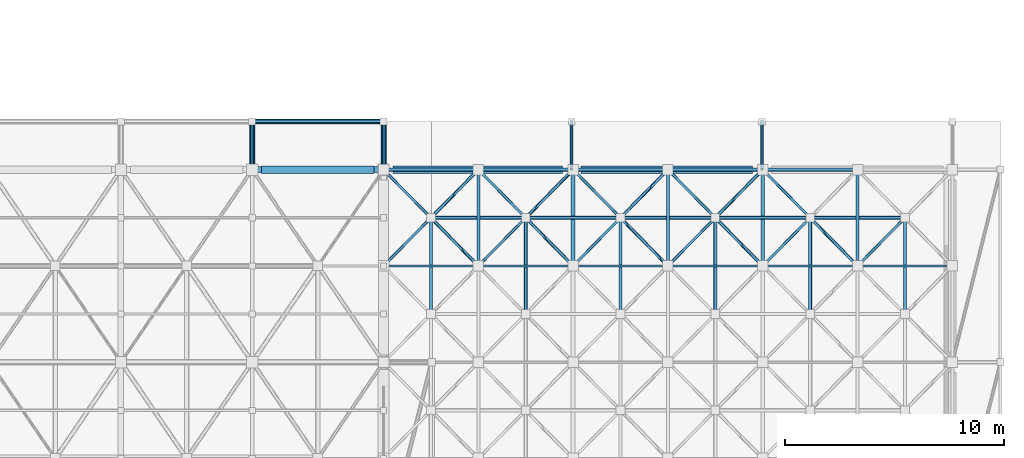
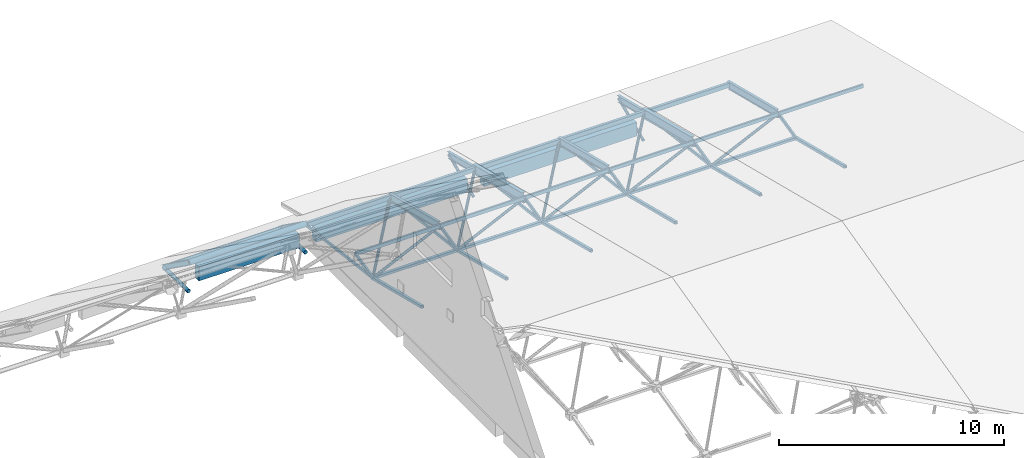
# One storey, part 32 of 55: 57 members, 3 beams.
"""IFC4 building model written with IfcOpenShell, lengths in metres."""

import ifcopenshell
import ifcopenshell.guid

model = None  # the IFC model being written
_history = None  # IfcOwnerHistory: only IFC2X3 demands one
_inside = {}  # id of a spatial element -> (the spatial element, [elements in it])
_under = {}  # id of a project, library or spatial element -> (it, [spatial elements below it])
_declared = {}  # id of a project -> (the project, [libraries it declares])
_typed = {}  # id of a type object -> (the type object, [elements of that type])
_made_of = {}  # id of a material, layer set ... -> (it, [elements and type objects made of it])


def new_model(schema):
    """Start an empty IFC model of exactly this schema.

    Asked for "IFC4X3", IfcOpenShell would pick the latest addendum, in which some entities
    have other attributes; the version numbers below select the first issue.
    IFC2X3 requires an IfcOwnerHistory on every rooted entity: one is made here for all.
    """
    global model, _history
    if schema == "IFC4X3":
        model = ifcopenshell.file(schema_version=(4, 3, 0, 0))
    else:
        model = ifcopenshell.file(schema=schema)
    _inside.clear()
    _under.clear()
    _declared.clear()
    _typed.clear()
    _made_of.clear()
    _history = None
    if model.schema == "IFC2X3":
        org = make("IfcOrganization", Name="unknown")
        user = make(
            "IfcPersonAndOrganization",
            ThePerson=make("IfcPerson", FamilyName="unknown"),
            TheOrganization=org,
        )
        app = make(
            "IfcApplication",
            ApplicationDeveloper=org,
            Version="unknown",
            ApplicationFullName="unknown",
            ApplicationIdentifier="unknown",
        )
        _history = make(
            "IfcOwnerHistory",
            OwningUser=user,
            OwningApplication=app,
            ChangeAction="ADDED",
            CreationDate=0,
        )
    return model


def make(cls, **values):
    """One entity of the class cls with the attributes given. An attribute that is None is left unset."""
    return model.create_entity(
        cls, **{name: value for name, value in values.items() if value is not None}
    )


def rooted(cls, **values):
    """An entity with a GlobalId (a new one), such as an element, a storey or a relation."""
    return make(cls, GlobalId=ifcopenshell.guid.new(), OwnerHistory=_history, **values)


def si_unit(unit_type, name, prefix=None):
    """IfcSIUnit, for example si_unit("LENGTHUNIT", "METRE", prefix="MILLI")."""
    return make("IfcSIUnit", UnitType=unit_type, Prefix=prefix, Name=name)


def assignment(units):
    """IfcUnitAssignment: the units of a project."""
    return None if units is None else make("IfcUnitAssignment", Units=units)


def point(xyz):
    """IfcCartesianPoint."""
    return None if xyz is None else make("IfcCartesianPoint", Coordinates=xyz)


def direction(xyz):
    """IfcDirection."""
    return None if xyz is None else make("IfcDirection", DirectionRatios=xyz)


def frame(location, z_axis=None, x_axis=None):
    """IfcAxis2Placement3D, a coordinate frame: its origin and axes. An axis left out is left unset."""
    return make(
        "IfcAxis2Placement3D",
        Location=point(location),
        Axis=direction(z_axis),
        RefDirection=direction(x_axis),
    )


def frame_2d(location, x_axis=None):
    """IfcAxis2Placement2D, a coordinate frame in the plane: its origin and x axis."""
    return make(
        "IfcAxis2Placement2D", Location=point(location), RefDirection=direction(x_axis)
    )


def origin():
    """The frame at (0, 0, 0) with its axes left unset."""
    return frame((0.0, 0.0, 0.0))


def origin_2d():
    """The frame at (0, 0) in the plane with its x axis left unset."""
    return frame_2d((0.0, 0.0))


def place(relative_to, where):
    """IfcLocalPlacement: puts the frame where relative to a parent placement (None: the world)."""
    return make(
        "IfcLocalPlacement", PlacementRelTo=relative_to, RelativePlacement=where
    )


def context(
    kind, dimensions, precision=None, world=None, true_north=None, identifier=None
):
    """IfcGeometricRepresentationContext, for example the 3D "Model" context."""
    return make(
        "IfcGeometricRepresentationContext",
        ContextIdentifier=identifier,
        ContextType=kind,
        CoordinateSpaceDimension=dimensions,
        Precision=precision,
        WorldCoordinateSystem=world,
        TrueNorth=true_north,
    )


def subcontext(parent, identifier, kind, view, scale=None):
    """IfcGeometricRepresentationSubContext, for example "Body" below "Model"."""
    return make(
        "IfcGeometricRepresentationSubContext",
        ContextIdentifier=identifier,
        ContextType=kind,
        ParentContext=parent,
        TargetScale=scale,
        TargetView=view,
    )


def project(units=None, contexts=None):
    """IfcProject with its units and contexts."""
    return rooted(
        "IfcProject",
        Name="project",
        RepresentationContexts=contexts,
        UnitsInContext=assignment(units),
    )


def spatial(cls, under=None, at=None, **own):
    """A site, building, storey or space (cls), placed at a placement, below another one or the project."""
    s = rooted(cls, ObjectPlacement=at, **own)
    if under is not None:
        _under.setdefault(under.id(), (under, []))[1].append(s)
    return s


def profile(cls, at=None, kind="AREA", **sizes):
    """A parametric profile (cls). Its sizes go by their IFC names, for example OverallWidth=200.0."""
    return make(cls, ProfileType=kind, Position=at, **sizes)


def rectangle(**sizes):
    """IfcRectangleProfileDef."""
    return profile("IfcRectangleProfileDef", **sizes)


def hollow_rectangle(**sizes):
    """IfcRectangleHollowProfileDef."""
    return profile("IfcRectangleHollowProfileDef", **sizes)


def hollow_circle(**sizes):
    """IfcCircleHollowProfileDef."""
    return profile("IfcCircleHollowProfileDef", **sizes)


def i_section(**sizes):
    """IfcIShapeProfileDef."""
    return profile("IfcIShapeProfileDef", **sizes)


def extrude(swept, where, along, depth):
    """IfcExtrudedAreaSolid: the profile swept, set in the frame where, extruded along a direction by depth."""
    return make(
        "IfcExtrudedAreaSolid",
        SweptArea=swept,
        Position=where,
        ExtrudedDirection=direction(along),
        Depth=depth,
    )


def shape(context_of_items, identifier, shape_type, items):
    """IfcShapeRepresentation: the items that make up one representation, for example the "Body"."""
    return make(
        "IfcShapeRepresentation",
        ContextOfItems=context_of_items,
        RepresentationIdentifier=identifier,
        RepresentationType=shape_type,
        Items=items,
    )


def material(Name=None, Category=None):
    """IfcMaterial."""
    return make("IfcMaterial", Name=Name, Category=Category)


def material_profile(
    of_material, cross_section, Name=None, Category=None, Priority=None
):
    """IfcMaterialProfile: a cross section and its material."""
    return make(
        "IfcMaterialProfile",
        Name=Name,
        Material=of_material,
        Profile=cross_section,
        Priority=Priority,
        Category=Category,
    )


def profile_set(profiles, Name=None, composite=None):
    """IfcMaterialProfileSet."""
    return make(
        "IfcMaterialProfileSet",
        Name=Name,
        MaterialProfiles=profiles,
        CompositeProfile=composite,
    )


def made_of(thing, what):
    """Note that an element or type object is made of a material, layer set ...; save() writes the relation."""
    if what is not None:
        _made_of.setdefault(what.id(), (what, []))[1].append(thing)
    return thing


def type_object(cls, material=None, **own):
    """A type object (cls), such as IfcWallType, which elements share."""
    return made_of(rooted(cls, **own), material)


def element(
    cls,
    number,
    at=None,
    inside=None,
    cuts=None,
    type_object=None,
    material=None,
    context=None,
    identifier="Body",
    shape_type=None,
    held_by="IfcProductDefinitionShape",
    body=None,
    shapes=None,
    **own,
):
    """One element of the class cls, such as IfcWall. Its Tag is "e" and its number.

    at: its placement. inside: the storey or other place that contains it. cuts: it is an
    opening in that element (IfcRelVoidsElement). A single representation is given by context,
    identifier, shape_type and body (its items); several are given by shapes. held_by: the class
    of the entity that holds the representations. save() writes the other relations.
    """
    e = rooted(cls, Tag="e%d" % number, ObjectPlacement=at, **own)
    if body is not None:
        shapes = [shape(context, identifier, shape_type, body)]
    if shapes is not None:
        e.Representation = make(held_by, Representations=shapes)
    if inside is not None:
        _inside.setdefault(inside.id(), (inside, []))[1].append(e)
    if cuts is not None:
        rooted(
            "IfcRelVoidsElement", RelatingBuildingElement=cuts, RelatedOpeningElement=e
        )
    if type_object is not None:
        _typed.setdefault(type_object.id(), (type_object, []))[1].append(e)
    return made_of(e, material)


def aggregate(whole, parts):
    """IfcRelAggregates: a whole, such as a stair, and the parts it consists of."""
    return rooted("IfcRelAggregates", RelatingObject=whole, RelatedObjects=parts)


def save(model, path):
    """Write the relations noted so far, then the file.

    IfcRelAggregates (storeys below a building ...), IfcRelContainedInSpatialStructure (elements
    in a storey), IfcRelDefinesByType, IfcRelAssociatesMaterial and IfcRelDeclares: one each for
    every whole, place, type object, material and project.
    """
    for whole, parts in _under.values():
        aggregate(whole, parts)
    for where, things in _inside.values():
        rooted(
            "IfcRelContainedInSpatialStructure",
            RelatedElements=things,
            RelatingStructure=where,
        )
    for kind, things in _typed.values():
        rooted("IfcRelDefinesByType", RelatedObjects=things, RelatingType=kind)
    for what, things in _made_of.values():
        rooted("IfcRelAssociatesMaterial", RelatedObjects=things, RelatingMaterial=what)
    for by, libraries in _declared.values():
        rooted("IfcRelDeclares", RelatingContext=by, RelatedDefinitions=libraries)
    model.write(path)


model = new_model("IFC4")

# Units and contexts
model_context = context("Model", 3, precision=1e-05, world=origin(), true_north=direction((0.0, 1.0)))
body_context = subcontext(model_context, "Body", "Model", "MODEL_VIEW")
ifc_project = project(units=[si_unit("LENGTHUNIT", "METRE"), si_unit("AREAUNIT", "SQUARE_METRE"), si_unit("VOLUMEUNIT", "CUBIC_METRE"), si_unit("PLANEANGLEUNIT", "RADIAN"), si_unit("MASSUNIT", "GRAM", prefix="KILO")], contexts=[model_context])

# Site, building, storey
site_placement = place(None, origin())
site = spatial("IfcSite", under=ifc_project, at=site_placement, CompositionType="ELEMENT")
building_placement = place(site_placement, origin())
building = spatial("IfcBuilding", under=site, at=building_placement, Name="Varnakota Cinema and Media Centre", CompositionType="ELEMENT")
storey_placement = place(building_placement, frame((0.0, 0.0, 15.60009765625)))
storey = spatial("IfcBuildingStorey", under=building, at=storey_placement, Name="L04", CompositionType="ELEMENT", Elevation=15.60009765625)

# Beams
ifc_material_1 = material(Name="Concrete M40", Category="concrete")
ifc_material_profile_1 = material_profile(ifc_material_1, rectangle(XDim=0.35009765625, YDim=0.75, at=origin_2d()), Name="RCB 350x750")
ifc_profile_set_1 = profile_set([ifc_material_profile_1], Name="Concrete M40")
beam_type = type_object("IfcBeamType", Name="BM-SP-350x750", PredefinedType="SPANDREL", material=ifc_profile_set_1)
beam_1_placement = place(storey_placement, frame((129.425048828125, 35.199951171875, -0.375), z_axis=(1.0, 0.0, 0.0), x_axis=(0.0, 1.0, 0.0)))
element("IfcBeam", 1, at=beam_1_placement, inside=storey, type_object=beam_type, Name="L04 girder U-V/5", PredefinedType="SPANDREL", context=body_context, shape_type="SweptSolid", body=[
    extrude(rectangle(XDim=0.35009765625, YDim=0.75, at=origin_2d()), origin(), (0.0, 0.0, 1.0), 5.14990234375),
])
beam_2_placement = place(storey_placement, frame((135.425048828125, 35.199951171875, -0.375), z_axis=(1.0, 0.0, 0.0), x_axis=(0.0, 1.0, 0.0)))
element("IfcBeam", 2, at=beam_2_placement, inside=storey, type_object=beam_type, Name="L04 girder V-W/5", PredefinedType="SPANDREL", context=body_context, shape_type="SweptSolid", body=[
    extrude(rectangle(XDim=0.35009765625, YDim=0.75, at=origin_2d()), origin(), (0.0, 0.0, 1.0), 7.75),
])
beam_3_placement = place(storey_placement, frame((144.02490234375, 35.199951171875, -0.375), z_axis=(1.0, 0.0, 0.0), x_axis=(0.0, 1.0, 0.0)))
element("IfcBeam", 3, at=beam_3_placement, inside=storey, type_object=beam_type, Name="L04 girder W-X/5", PredefinedType="SPANDREL", context=body_context, shape_type="SweptSolid", body=[
    extrude(rectangle(XDim=0.35009765625, YDim=0.75, at=origin_2d()), origin(), (0.0, 0.0, 1.0), 7.85009765625),
])

# Members
ifc_material_2 = material(Name="Structural steel S355 (YSt 355)", Category="steel")
ifc_material_profile_2 = material_profile(ifc_material_2, hollow_circle(Radius=0.06982421875, WallThickness=0.006103515625, at=origin_2d()), Name="CHS 139.7x6.0")
ifc_profile_set_2 = profile_set([ifc_material_profile_2], Name="Structural steel S355 (YSt 355)")
member_type_1 = type_object("IfcMemberType", Name="MEM-ST-CHS139_7x6_0", PredefinedType="CHORD", material=ifc_profile_set_2)
member_1_placement = place(storey_placement, frame((137.166748046875, 33.0, -2.050048828125), z_axis=(0.471728090545, -0.479010798276, 0.740284582931), x_axis=(0.712502351494, 0.701669722246, 0.0)))
element("IfcMember", 4, at=member_1_placement, inside=storey, type_object=member_type_1, Name="V2 space-truss diagonal 1.8.2", PredefinedType="CHORD", context=body_context, shape_type="SweptSolid", body=[
    extrude(hollow_circle(Radius=0.06982421875, WallThickness=0.006103515625, at=origin_2d()), origin(), (0.0, 0.0, 1.0), 4.5927734375),
])
member_2_placement = place(storey_placement, frame((137.166748046875, 33.0, -2.050048828125), z_axis=(0.562704581049, 0.571391816523, 0.59739011247), x_axis=(-0.712502351494, 0.701669722246, 0.0)))
element("IfcMember", 5, at=member_2_placement, inside=storey, type_object=member_type_1, Name="V2 space-truss diagonal 1.8.4", PredefinedType="CHORD", context=body_context, shape_type="SweptSolid", body=[
    extrude(hollow_circle(Radius=0.06982421875, WallThickness=0.006103515625, at=origin_2d()), origin(), (0.0, 0.0, 1.0), 3.85009765625),
])
member_3_placement = place(storey_placement, frame((141.5, 33.0, -2.050048828125), z_axis=(0.47176941823, -0.478998786216, 0.74026601896), x_axis=(0.712462822052, 0.701709859695, 0.0)))
element("IfcMember", 6, at=member_3_placement, inside=storey, type_object=member_type_1, Name="V2 space-truss diagonal 2.8.2", PredefinedType="CHORD", context=body_context, shape_type="SweptSolid", body=[
    extrude(hollow_circle(Radius=0.06982421875, WallThickness=0.006103515625, at=origin_2d()), origin(), (0.0, 0.0, 1.0), 4.5927734375),
])
member_4_placement = place(storey_placement, frame((141.5, 33.0, -2.050048828125), z_axis=(0.562747911139, 0.571371428425, 0.597368796714), x_axis=(-0.712462822052, 0.701709859695, 0.0)))
element("IfcMember", 7, at=member_4_placement, inside=storey, type_object=member_type_1, Name="V2 space-truss diagonal 2.8.4", PredefinedType="CHORD", context=body_context, shape_type="SweptSolid", body=[
    extrude(hollow_circle(Radius=0.06982421875, WallThickness=0.006103515625, at=origin_2d()), origin(), (0.0, 0.0, 1.0), 3.850341796875),
])
member_5_placement = place(storey_placement, frame((145.833251953125, 33.0, -2.050048828125), z_axis=(0.47176941823, -0.478998786216, 0.74026601896), x_axis=(0.712462822052, 0.701709859695, 0.0)))
element("IfcMember", 8, at=member_5_placement, inside=storey, type_object=member_type_1, Name="V2 space-truss diagonal 3.8.2", PredefinedType="CHORD", context=body_context, shape_type="SweptSolid", body=[
    extrude(hollow_circle(Radius=0.06982421875, WallThickness=0.006103515625, at=origin_2d()), origin(), (0.0, 0.0, 1.0), 4.5927734375),
])
member_6_placement = place(storey_placement, frame((145.833251953125, 33.0, -2.050048828125), z_axis=(0.562747911139, 0.571371428425, 0.597368796714), x_axis=(-0.712462822052, 0.701709859695, 0.0)))
element("IfcMember", 9, at=member_6_placement, inside=storey, type_object=member_type_1, Name="V2 space-truss diagonal 3.8.4", PredefinedType="CHORD", context=body_context, shape_type="SweptSolid", body=[
    extrude(hollow_circle(Radius=0.06982421875, WallThickness=0.006103515625, at=origin_2d()), origin(), (0.0, 0.0, 1.0), 3.850341796875),
])
member_7_placement = place(storey_placement, frame((150.166748046875, 33.0, -2.050048828125), z_axis=(0.471728090545, -0.479010798276, 0.740284582931), x_axis=(0.712502351494, 0.701669722246, 0.0)))
element("IfcMember", 10, at=member_7_placement, inside=storey, type_object=member_type_1, Name="V2 space-truss diagonal 4.8.2", PredefinedType="CHORD", context=body_context, shape_type="SweptSolid", body=[
    extrude(hollow_circle(Radius=0.06982421875, WallThickness=0.006103515625, at=origin_2d()), origin(), (0.0, 0.0, 1.0), 4.5927734375),
])
member_8_placement = place(storey_placement, frame((150.166748046875, 33.0, -2.050048828125), z_axis=(0.562704581049, 0.571391816523, 0.59739011247), x_axis=(-0.712502351494, 0.701669722246, 0.0)))
element("IfcMember", 11, at=member_8_placement, inside=storey, type_object=member_type_1, Name="V2 space-truss diagonal 4.8.4", PredefinedType="CHORD", context=body_context, shape_type="SweptSolid", body=[
    extrude(hollow_circle(Radius=0.06982421875, WallThickness=0.006103515625, at=origin_2d()), origin(), (0.0, 0.0, 1.0), 3.85009765625),
])
member_9_placement = place(storey_placement, frame((154.5, 33.0, -2.050048828125), z_axis=(0.47176941823, -0.478998786216, 0.74026601896), x_axis=(0.712462822052, 0.701709859695, 0.0)))
element("IfcMember", 12, at=member_9_placement, inside=storey, type_object=member_type_1, Name="V2 space-truss diagonal 5.8.2", PredefinedType="CHORD", context=body_context, shape_type="SweptSolid", body=[
    extrude(hollow_circle(Radius=0.06982421875, WallThickness=0.006103515625, at=origin_2d()), origin(), (0.0, 0.0, 1.0), 4.5927734375),
])
for number, where, z_axis, x_axis, name in (
    (13, (143.60009765625, 35.199951171875, -1.25), (0.0, 0.918066567186, 0.396426258231), (-1.0, 0.0, 0.0), "V2 N eave raking strut 1"),
    (14, (152.300048828125, 35.199951171875, -1.25), (0.0, 0.918066567186, 0.396426258231), (-1.0, 0.0, 0.0), "V2 N eave raking strut 2"),
):
    element("IfcMember", number, at=place(storey_placement, frame(where, z_axis=z_axis, x_axis=x_axis)), inside=storey, type_object=member_type_1, Name=name, PredefinedType="CHORD", context=body_context, shape_type="SweptSolid", body=[
        extrude(hollow_circle(Radius=0.06982421875, WallThickness=0.006103515625, at=origin_2d()), origin(), (0.0, 0.0, 1.0), 2.396240234375),
    ])
ifc_material_3 = material(Name="Structural steel S355 (YSt 355)", Category="steel")
ifc_material_profile_3 = material_profile(ifc_material_3, hollow_circle(Radius=0.096923828125, WallThickness=0.00634765625, at=origin_2d()), Name="CHS 193.7x6.3")
ifc_profile_set_3 = profile_set([ifc_material_profile_3], Name="Structural steel S355 (YSt 355)")
member_type_2 = type_object("IfcMemberType", Name="MEM-ST-CHS193_7x6_3", PredefinedType="CHORD", material=ifc_profile_set_3)
for number, where, z_axis, x_axis, name in (
    (15, (129.0, 35.199951171875, -1.25), (0.0, 0.999934678535, -0.01142972721), (-1.0, 0.0, 0.0), "V1 space-frame N eave raking strut 10"),
    (16, (135.0, 35.199951171875, -1.25), (0.0, 0.999934678535, -0.01142972721), (-1.0, 0.0, 0.0), "V1 space-frame N eave raking strut 11"),
):
    element("IfcMember", number, at=place(storey_placement, frame(where, z_axis=z_axis, x_axis=x_axis)), inside=storey, type_object=member_type_2, Name=name, PredefinedType="CHORD", context=body_context, shape_type="SweptSolid", body=[
        extrude(hollow_circle(Radius=0.096923828125, WallThickness=0.00634765625, at=origin_2d()), origin(), (0.0, 0.0, 1.0), 2.2001953125),
    ])
ifc_material_4 = material(Name="Structural steel S355 (YSt 355)", Category="steel")
ifc_material_profile_4 = material_profile(ifc_material_4, hollow_circle(Radius=0.109619140625, WallThickness=0.008056640625, at=origin_2d()), Name="CHS 219.1x8.0")
ifc_profile_set_4 = profile_set([ifc_material_profile_4], Name="Structural steel S355 (YSt 355)")
member_type_3 = type_object("IfcMemberType", Name="MEM-ST-CHS219_1x8_0", PredefinedType="BRACE", material=ifc_profile_set_4)
member_10_placement = place(storey_placement, frame((129.0, 37.39990234375, -1.275146484375), z_axis=(1.0, 0.0, 0.0), x_axis=(0.0, 1.0, 0.0)))
element("IfcMember", 17, at=member_10_placement, inside=storey, type_object=member_type_3, Name="V1 N eave fascia chord 10", PredefinedType="BRACE", context=body_context, shape_type="SweptSolid", body=[
    extrude(hollow_circle(Radius=0.109619140625, WallThickness=0.008056640625, at=origin_2d()), origin(), (0.0, 0.0, 1.0), 6.0),
])
ifc_material_5 = material(Name="Structural steel S355 (YSt 355)", Category="steel")
ifc_material_profile_5 = material_profile(ifc_material_5, hollow_circle(Radius=0.136474609375, WallThickness=0.010009765625, at=origin_2d()), Name="CHS 273.0x10.0")
ifc_profile_set_5 = profile_set([ifc_material_profile_5], Name="Structural steel S355 (YSt 355)")
member_type_4 = type_object("IfcMemberType", Name="MEM-ST-CHS273_0x10_0", PredefinedType="BRACE", material=ifc_profile_set_5)
member_11_placement = place(storey_placement, frame((129.0, 35.199951171875, 0.2998046875), z_axis=(1.0, 0.0, 0.0), x_axis=(0.0, 1.0, 0.0)))
element("IfcMember", 18, at=member_11_placement, inside=storey, type_object=member_type_4, Name="V1 top longitudinal chord 10.5", PredefinedType="BRACE", context=body_context, shape_type="SweptSolid", body=[
    extrude(hollow_circle(Radius=0.136474609375, WallThickness=0.010009765625, at=origin_2d()), origin(), (0.0, 0.0, 1.0), 6.0),
])
ifc_material_6 = material(Name="Structural steel Grade 350 (E350)", Category="steel")
ifc_material_profile_6 = material_profile(ifc_material_6, i_section(OverallWidth=0.25, OverallDepth=0.25, WebThickness=0.0087890625, FlangeThickness=0.009765625, FilletRadius=0.010009765625, at=origin_2d()), Name="ISHB 250")
ifc_profile_set_6 = profile_set([ifc_material_profile_6], Name="Structural steel Grade 350 (E350)")
member_type_5 = type_object("IfcMemberType", Name="MEM-ST-ISHB250", PredefinedType="CHORD", material=ifc_profile_set_6)
for number, where, z_axis, x_axis, name in (
    (19, (129.0, 35.199951171875, 0.2998046875), (0.0, 0.81311111287, -0.582108510612), (-1.0, 0.0, 0.0), "V1 space-frame N eave overhang rafter 10"),
    (20, (135.0, 35.199951171875, 0.2998046875), (0.0, 0.81311111287, -0.582108510612), (-1.0, 0.0, 0.0), "V1 space-frame N eave overhang rafter 11"),
):
    element("IfcMember", number, at=place(storey_placement, frame(where, z_axis=z_axis, x_axis=x_axis)), inside=storey, type_object=member_type_5, Name=name, PredefinedType="CHORD", context=body_context, shape_type="SweptSolid", body=[
        extrude(i_section(OverallWidth=0.25, OverallDepth=0.25, WebThickness=0.0087890625, FlangeThickness=0.009765625, FilletRadius=0.010009765625, at=origin_2d()), origin(), (0.0, 0.0, 1.0), 2.70556640625),
    ])
ifc_material_7 = material(Name="Structural steel Grade 350 (E350)", Category="steel")
ifc_material_profile_7 = material_profile(ifc_material_7, i_section(OverallWidth=0.139892578125, OverallDepth=0.35009765625, WebThickness=0.008056640625, FlangeThickness=0.01416015625, FilletRadius=0.013916015625, at=origin_2d()), Name="ISMB 350")
ifc_profile_set_7 = profile_set([ifc_material_profile_7], Name="Structural steel Grade 350 (E350)")
member_type_6 = type_object("IfcMemberType", Name="MEM-ST-ISMB350", PredefinedType="RAFTER", material=ifc_profile_set_7)
for number, where, z_axis, x_axis, name in (
    (21, (143.60009765625, 35.199951171875, 0.25), (0.0, 0.970136166796, -0.242560957029), (-1.0, 0.0, 0.0), "V2 N eave overhang rafter 1"),
    (22, (152.300048828125, 35.199951171875, 0.25), (0.0, 0.970136166796, -0.242560957029), (-1.0, 0.0, 0.0), "V2 N eave overhang rafter 2"),
):
    element("IfcMember", number, at=place(storey_placement, frame(where, z_axis=z_axis, x_axis=x_axis)), inside=storey, type_object=member_type_6, Name=name, PredefinedType="RAFTER", context=body_context, shape_type="SweptSolid", body=[
        extrude(i_section(OverallWidth=0.139892578125, OverallDepth=0.35009765625, WebThickness=0.008056640625, FlangeThickness=0.01416015625, FilletRadius=0.013916015625, at=origin_2d()), origin(), (0.0, 0.0, 1.0), 2.267578125),
    ])
ifc_material_8 = material(Name="Structural steel Grade 350 (E350)", Category="steel")
ifc_material_profile_8 = material_profile(ifc_material_8, i_section(OverallWidth=0.139892578125, OverallDepth=0.39990234375, WebThickness=0.0087890625, FlangeThickness=0.01611328125, FilletRadius=0.013916015625, at=origin_2d()), Name="ISMB 400")
ifc_profile_set_8 = profile_set([ifc_material_profile_8], Name="Structural steel Grade 350 (E350)")
member_type_7 = type_object("IfcMemberType", Name="MEM-ST-ISMB400", PredefinedType="RAFTER", material=ifc_profile_set_8)
for number, where, z_axis, x_axis, name in (
    (23, (139.333251953125, 30.800048828125, 1.349853515625), (0.0, 0.970148832916, -0.242510292547), (-1.0, 0.0, 0.0), "V2 truss rafter 2.8"),
    (24, (148.0, 30.800048828125, 1.349853515625), (0.0, 0.970148832916, -0.242510292547), (-1.0, 0.0, 0.0), "V2 truss rafter 4.8"),
    (25, (156.666748046875, 30.800048828125, 1.349853515625), (0.0, 0.970148832916, -0.242510292547), (-1.0, 0.0, 0.0), "V2 truss rafter 6.8"),
):
    element("IfcMember", number, at=place(storey_placement, frame(where, z_axis=z_axis, x_axis=x_axis)), inside=storey, type_object=member_type_7, Name=name, PredefinedType="RAFTER", context=body_context, shape_type="SweptSolid", body=[
        extrude(i_section(OverallWidth=0.139892578125, OverallDepth=0.39990234375, WebThickness=0.0087890625, FlangeThickness=0.01611328125, FilletRadius=0.013916015625, at=origin_2d()), origin(), (0.0, 0.0, 1.0), 4.535400390625),
    ])
ifc_material_9 = material(Name="Structural steel Grade 350 (E350)", Category="steel")
ifc_material_profile_9 = material_profile(ifc_material_9, i_section(OverallWidth=0.179931640625, OverallDepth=0.5, WebThickness=0.01025390625, FlangeThickness=0.01708984375, FilletRadius=0.01708984375, at=origin_2d()), Name="ISMB 500")
ifc_profile_set_9 = profile_set([ifc_material_profile_9], Name="Structural steel Grade 350 (E350)")
member_type_8 = type_object("IfcMemberType", Name="MEM-ST-ISMB500", PredefinedType="RAFTER", material=ifc_profile_set_9)
for number, where, z_axis, x_axis, name in (
    (26, (143.666748046875, 30.800048828125, 1.349853515625), (0.0, 0.970148832916, -0.242510292547), (-1.0, 0.0, 0.0), "V2 truss rafter 3.8"),
    (27, (152.333251953125, 30.800048828125, 1.349853515625), (0.0, 0.970148832916, -0.242510292547), (-1.0, 0.0, 0.0), "V2 truss rafter 5.8"),
):
    element("IfcMember", number, at=place(storey_placement, frame(where, z_axis=z_axis, x_axis=x_axis)), inside=storey, type_object=member_type_8, Name=name, PredefinedType="RAFTER", context=body_context, shape_type="SweptSolid", body=[
        extrude(i_section(OverallWidth=0.179931640625, OverallDepth=0.5, WebThickness=0.01025390625, FlangeThickness=0.01708984375, FilletRadius=0.01708984375, at=origin_2d()), origin(), (0.0, 0.0, 1.0), 4.535400390625),
    ])
ifc_material_10 = material(Name="Structural steel S355 (YSt 355)", Category="steel")
ifc_material_profile_10 = material_profile(ifc_material_10, hollow_rectangle(XDim=0.10009765625, YDim=0.199951171875, WallThickness=0.006103515625, InnerFilletRadius=0.006103515625, OuterFilletRadius=0.011962890625, at=origin_2d()), Name="RHS 200x100x6")
ifc_profile_set_10 = profile_set([ifc_material_profile_10], Name="Structural steel S355 (YSt 355)")
member_type_9 = type_object("IfcMemberType", Name="MEM-ST-RHS200x100x6", PredefinedType="PURLIN", material=ifc_profile_set_10)
member_12_placement = place(storey_placement, frame((135.0, 30.800048828125, 1.349853515625), z_axis=(1.0, 0.0, 0.0), x_axis=(0.0, 1.0, 0.0)))
element("IfcMember", 28, at=member_12_placement, inside=storey, type_object=member_type_9, Name="V2 top chord 1.8", PredefinedType="PURLIN", context=body_context, shape_type="SweptSolid", body=[
    extrude(hollow_rectangle(XDim=0.10009765625, YDim=0.199951171875, WallThickness=0.006103515625, InnerFilletRadius=0.006103515625, OuterFilletRadius=0.011962890625, at=origin_2d()), origin(), (0.0, 0.0, 1.0), 4.333251953125),
])
member_13_placement = place(storey_placement, frame((139.333251953125, 30.800048828125, 1.349853515625), z_axis=(1.0, 0.0, 0.0), x_axis=(0.0, 1.0, 0.0)))
element("IfcMember", 29, at=member_13_placement, inside=storey, type_object=member_type_9, Name="V2 top chord 2.8", PredefinedType="PURLIN", context=body_context, shape_type="SweptSolid", body=[
    extrude(hollow_rectangle(XDim=0.10009765625, YDim=0.199951171875, WallThickness=0.006103515625, InnerFilletRadius=0.006103515625, OuterFilletRadius=0.011962890625, at=origin_2d()), origin(), (0.0, 0.0, 1.0), 4.33349609375),
])
for number, where, z_axis, x_axis, name in (
    (30, (143.666748046875, 30.800048828125, 1.349853515625), (1.0, 0.0, 0.0), (0.0, 1.0, 0.0), "V2 top chord 3.8"),
    (31, (148.0, 30.800048828125, 1.349853515625), (1.0, 0.0, 0.0), (0.0, 1.0, 0.0), "V2 top chord 4.8"),
):
    element("IfcMember", number, at=place(storey_placement, frame(where, z_axis=z_axis, x_axis=x_axis)), inside=storey, type_object=member_type_9, Name=name, PredefinedType="PURLIN", context=body_context, shape_type="SweptSolid", body=[
        extrude(hollow_rectangle(XDim=0.10009765625, YDim=0.199951171875, WallThickness=0.006103515625, InnerFilletRadius=0.006103515625, OuterFilletRadius=0.011962890625, at=origin_2d()), origin(), (0.0, 0.0, 1.0), 4.333251953125),
    ])
member_14_placement = place(storey_placement, frame((152.333251953125, 30.800048828125, 1.349853515625), z_axis=(1.0, 0.0, 0.0), x_axis=(0.0, 1.0, 0.0)))
element("IfcMember", 32, at=member_14_placement, inside=storey, type_object=member_type_9, Name="V2 top chord 5.8", PredefinedType="PURLIN", context=body_context, shape_type="SweptSolid", body=[
    extrude(hollow_rectangle(XDim=0.10009765625, YDim=0.199951171875, WallThickness=0.006103515625, InnerFilletRadius=0.006103515625, OuterFilletRadius=0.011962890625, at=origin_2d()), origin(), (0.0, 0.0, 1.0), 4.33349609375),
])
member_15_placement = place(storey_placement, frame((156.666748046875, 30.800048828125, 1.349853515625), z_axis=(1.0, 0.0, 0.0), x_axis=(0.0, 1.0, 0.0)))
element("IfcMember", 33, at=member_15_placement, inside=storey, type_object=member_type_9, Name="V2 top chord 6.8", PredefinedType="PURLIN", context=body_context, shape_type="SweptSolid", body=[
    extrude(hollow_rectangle(XDim=0.10009765625, YDim=0.199951171875, WallThickness=0.006103515625, InnerFilletRadius=0.006103515625, OuterFilletRadius=0.011962890625, at=origin_2d()), origin(), (0.0, 0.0, 1.0), 4.333251953125),
])
ifc_material_11 = material(Name="Structural steel S355 (YSt 355)", Category="steel")
ifc_material_profile_11 = material_profile(ifc_material_11, hollow_rectangle(XDim=0.14990234375, YDim=0.25, WallThickness=0.008056640625, InnerFilletRadius=0.008056640625, OuterFilletRadius=0.01611328125, at=origin_2d()), Name="RHS 250x150x8")
ifc_profile_set_11 = profile_set([ifc_material_profile_11], Name="Structural steel S355 (YSt 355)")
member_type_10 = type_object("IfcMemberType", Name="MEM-ST-RHS250x150x8", PredefinedType="PURLIN", material=ifc_profile_set_11)
member_16_placement = place(storey_placement, frame((135.0, 35.199951171875, 0.25), z_axis=(1.0, 0.0, 0.0), x_axis=(0.0, 1.0, 0.0)))
element("IfcMember", 34, at=member_16_placement, inside=storey, type_object=member_type_10, Name="V2 top chord 1.9", PredefinedType="PURLIN", context=body_context, shape_type="SweptSolid", body=[
    extrude(hollow_rectangle(XDim=0.14990234375, YDim=0.25, WallThickness=0.008056640625, InnerFilletRadius=0.008056640625, OuterFilletRadius=0.01611328125, at=origin_2d()), origin(), (0.0, 0.0, 1.0), 4.333251953125),
])
member_17_placement = place(storey_placement, frame((139.333251953125, 35.199951171875, 0.25), z_axis=(1.0, 0.0, 0.0), x_axis=(0.0, 1.0, 0.0)))
element("IfcMember", 35, at=member_17_placement, inside=storey, type_object=member_type_10, Name="V2 top chord 2.9", PredefinedType="PURLIN", context=body_context, shape_type="SweptSolid", body=[
    extrude(hollow_rectangle(XDim=0.14990234375, YDim=0.25, WallThickness=0.008056640625, InnerFilletRadius=0.008056640625, OuterFilletRadius=0.01611328125, at=origin_2d()), origin(), (0.0, 0.0, 1.0), 4.33349609375),
])
for number, where, z_axis, x_axis, name in (
    (36, (143.666748046875, 35.199951171875, 0.25), (1.0, 0.0, 0.0), (0.0, 1.0, 0.0), "V2 top chord 3.9"),
    (37, (148.0, 35.199951171875, 0.25), (1.0, 0.0, 0.0), (0.0, 1.0, 0.0), "V2 top chord 4.9"),
):
    element("IfcMember", number, at=place(storey_placement, frame(where, z_axis=z_axis, x_axis=x_axis)), inside=storey, type_object=member_type_10, Name=name, PredefinedType="PURLIN", context=body_context, shape_type="SweptSolid", body=[
        extrude(hollow_rectangle(XDim=0.14990234375, YDim=0.25, WallThickness=0.008056640625, InnerFilletRadius=0.008056640625, OuterFilletRadius=0.01611328125, at=origin_2d()), origin(), (0.0, 0.0, 1.0), 4.333251953125),
    ])
member_18_placement = place(storey_placement, frame((152.333251953125, 35.199951171875, 0.25), z_axis=(1.0, 0.0, 0.0), x_axis=(0.0, 1.0, 0.0)))
element("IfcMember", 38, at=member_18_placement, inside=storey, type_object=member_type_10, Name="V2 top chord 5.9", PredefinedType="PURLIN", context=body_context, shape_type="SweptSolid", body=[
    extrude(hollow_rectangle(XDim=0.14990234375, YDim=0.25, WallThickness=0.008056640625, InnerFilletRadius=0.008056640625, OuterFilletRadius=0.01611328125, at=origin_2d()), origin(), (0.0, 0.0, 1.0), 4.33349609375),
])
ifc_material_12 = material(Name="Structural steel S355 (YSt 355)", Category="steel")
ifc_material_profile_12 = material_profile(ifc_material_12, hollow_rectangle(XDim=0.1201171875, YDim=0.1201171875, WallThickness=0.006103515625, InnerFilletRadius=0.006103515625, OuterFilletRadius=0.011962890625, at=origin_2d()), Name="SHS 120x120x6")
ifc_profile_set_12 = profile_set([ifc_material_profile_12], Name="Structural steel S355 (YSt 355)")
member_type_11 = type_object("IfcMemberType", Name="MEM-ST-SHS120x120x6", PredefinedType="STRUT", material=ifc_profile_set_12)
member_19_placement = place(storey_placement, frame((137.166748046875, 33.0, -2.050048828125), z_axis=(-0.47176941823, -0.478998786216, 0.74026601896), x_axis=(0.712462822052, -0.701709859695, 0.0)))
element("IfcMember", 39, at=member_19_placement, inside=storey, type_object=member_type_11, Name="V2 space-truss diagonal 1.8.1", PredefinedType="STRUT", context=body_context, shape_type="SweptSolid", body=[
    extrude(hollow_rectangle(XDim=0.1201171875, YDim=0.1201171875, WallThickness=0.006103515625, InnerFilletRadius=0.006103515625, OuterFilletRadius=0.011962890625, at=origin_2d()), origin(), (0.0, 0.0, 1.0), 4.5927734375),
])
member_20_placement = place(storey_placement, frame((137.166748046875, 33.0, -2.050048828125), z_axis=(-0.562747911139, 0.571371428425, 0.597368796714), x_axis=(-0.712462822052, -0.701709859695, 0.0)))
element("IfcMember", 40, at=member_20_placement, inside=storey, type_object=member_type_11, Name="V2 space-truss diagonal 1.8.3", PredefinedType="STRUT", context=body_context, shape_type="SweptSolid", body=[
    extrude(hollow_rectangle(XDim=0.1201171875, YDim=0.1201171875, WallThickness=0.006103515625, InnerFilletRadius=0.006103515625, OuterFilletRadius=0.011962890625, at=origin_2d()), origin(), (0.0, 0.0, 1.0), 3.850341796875),
])
member_21_placement = place(storey_placement, frame((141.5, 33.0, -2.050048828125), z_axis=(-0.47176941823, -0.478998786216, 0.74026601896), x_axis=(0.712462822052, -0.701709859695, 0.0)))
element("IfcMember", 41, at=member_21_placement, inside=storey, type_object=member_type_11, Name="V2 space-truss diagonal 2.8.1", PredefinedType="STRUT", context=body_context, shape_type="SweptSolid", body=[
    extrude(hollow_rectangle(XDim=0.1201171875, YDim=0.1201171875, WallThickness=0.006103515625, InnerFilletRadius=0.006103515625, OuterFilletRadius=0.011962890625, at=origin_2d()), origin(), (0.0, 0.0, 1.0), 4.5927734375),
])
member_22_placement = place(storey_placement, frame((141.5, 33.0, -2.050048828125), z_axis=(-0.562747911139, 0.571371428425, 0.597368796714), x_axis=(-0.712462822052, -0.701709859695, 0.0)))
element("IfcMember", 42, at=member_22_placement, inside=storey, type_object=member_type_11, Name="V2 space-truss diagonal 2.8.3", PredefinedType="STRUT", context=body_context, shape_type="SweptSolid", body=[
    extrude(hollow_rectangle(XDim=0.1201171875, YDim=0.1201171875, WallThickness=0.006103515625, InnerFilletRadius=0.006103515625, OuterFilletRadius=0.011962890625, at=origin_2d()), origin(), (0.0, 0.0, 1.0), 3.850341796875),
])
member_23_placement = place(storey_placement, frame((145.833251953125, 33.0, -2.050048828125), z_axis=(-0.471728090545, -0.479010798276, 0.740284582931), x_axis=(0.712502351494, -0.701669722246, 0.0)))
element("IfcMember", 43, at=member_23_placement, inside=storey, type_object=member_type_11, Name="V2 space-truss diagonal 3.8.1", PredefinedType="STRUT", context=body_context, shape_type="SweptSolid", body=[
    extrude(hollow_rectangle(XDim=0.1201171875, YDim=0.1201171875, WallThickness=0.006103515625, InnerFilletRadius=0.006103515625, OuterFilletRadius=0.011962890625, at=origin_2d()), origin(), (0.0, 0.0, 1.0), 4.5927734375),
])
member_24_placement = place(storey_placement, frame((145.833251953125, 33.0, -2.050048828125), z_axis=(-0.562704581049, 0.571391816523, 0.59739011247), x_axis=(-0.712502351494, -0.701669722246, 0.0)))
element("IfcMember", 44, at=member_24_placement, inside=storey, type_object=member_type_11, Name="V2 space-truss diagonal 3.8.3", PredefinedType="STRUT", context=body_context, shape_type="SweptSolid", body=[
    extrude(hollow_rectangle(XDim=0.1201171875, YDim=0.1201171875, WallThickness=0.006103515625, InnerFilletRadius=0.006103515625, OuterFilletRadius=0.011962890625, at=origin_2d()), origin(), (0.0, 0.0, 1.0), 3.85009765625),
])
member_25_placement = place(storey_placement, frame((150.166748046875, 33.0, -2.050048828125), z_axis=(-0.47176941823, -0.478998786216, 0.74026601896), x_axis=(0.712462822052, -0.701709859695, 0.0)))
element("IfcMember", 45, at=member_25_placement, inside=storey, type_object=member_type_11, Name="V2 space-truss diagonal 4.8.1", PredefinedType="STRUT", context=body_context, shape_type="SweptSolid", body=[
    extrude(hollow_rectangle(XDim=0.1201171875, YDim=0.1201171875, WallThickness=0.006103515625, InnerFilletRadius=0.006103515625, OuterFilletRadius=0.011962890625, at=origin_2d()), origin(), (0.0, 0.0, 1.0), 4.5927734375),
])
member_26_placement = place(storey_placement, frame((150.166748046875, 33.0, -2.050048828125), z_axis=(-0.562747911139, 0.571371428425, 0.597368796714), x_axis=(-0.712462822052, -0.701709859695, 0.0)))
element("IfcMember", 46, at=member_26_placement, inside=storey, type_object=member_type_11, Name="V2 space-truss diagonal 4.8.3", PredefinedType="STRUT", context=body_context, shape_type="SweptSolid", body=[
    extrude(hollow_rectangle(XDim=0.1201171875, YDim=0.1201171875, WallThickness=0.006103515625, InnerFilletRadius=0.006103515625, OuterFilletRadius=0.011962890625, at=origin_2d()), origin(), (0.0, 0.0, 1.0), 3.850341796875),
])
member_27_placement = place(storey_placement, frame((154.5, 33.0, -2.050048828125), z_axis=(-0.47176941823, -0.478998786216, 0.74026601896), x_axis=(0.712462822052, -0.701709859695, 0.0)))
element("IfcMember", 47, at=member_27_placement, inside=storey, type_object=member_type_11, Name="V2 space-truss diagonal 5.8.1", PredefinedType="STRUT", context=body_context, shape_type="SweptSolid", body=[
    extrude(hollow_rectangle(XDim=0.1201171875, YDim=0.1201171875, WallThickness=0.006103515625, InnerFilletRadius=0.006103515625, OuterFilletRadius=0.011962890625, at=origin_2d()), origin(), (0.0, 0.0, 1.0), 4.5927734375),
])
member_28_placement = place(storey_placement, frame((154.5, 33.0, -2.050048828125), z_axis=(-0.562747911139, 0.571371428425, 0.597368796714), x_axis=(-0.712462822052, -0.701709859695, 0.0)))
element("IfcMember", 48, at=member_28_placement, inside=storey, type_object=member_type_11, Name="V2 space-truss diagonal 5.8.3", PredefinedType="STRUT", context=body_context, shape_type="SweptSolid", body=[
    extrude(hollow_rectangle(XDim=0.1201171875, YDim=0.1201171875, WallThickness=0.006103515625, InnerFilletRadius=0.006103515625, OuterFilletRadius=0.011962890625, at=origin_2d()), origin(), (0.0, 0.0, 1.0), 3.850341796875),
])
member_29_placement = place(storey_placement, frame((158.833251953125, 33.0, -2.050048828125), z_axis=(-0.471728090545, -0.479010798276, 0.740284582931), x_axis=(0.712502351494, -0.701669722246, 0.0)))
element("IfcMember", 49, at=member_29_placement, inside=storey, type_object=member_type_11, Name="V2 space-truss diagonal 6.8.1", PredefinedType="STRUT", context=body_context, shape_type="SweptSolid", body=[
    extrude(hollow_rectangle(XDim=0.1201171875, YDim=0.1201171875, WallThickness=0.006103515625, InnerFilletRadius=0.006103515625, OuterFilletRadius=0.011962890625, at=origin_2d()), origin(), (0.0, 0.0, 1.0), 4.5927734375),
])
ifc_material_13 = material(Name="Structural steel S355 (YSt 355)", Category="steel")
ifc_material_profile_13 = material_profile(ifc_material_13, hollow_rectangle(XDim=0.14990234375, YDim=0.14990234375, WallThickness=0.008056640625, InnerFilletRadius=0.008056640625, OuterFilletRadius=0.01611328125, at=origin_2d()), Name="SHS 150x150x8")
ifc_profile_set_13 = profile_set([ifc_material_profile_13], Name="Structural steel S355 (YSt 355)")
member_type_12 = type_object("IfcMemberType", Name="MEM-ST-SHS150x150x8", PredefinedType="STRUT", material=ifc_profile_set_13)
for number, where, z_axis, x_axis, name in (
    (50, (137.166748046875, 33.0, -2.050048828125), (1.0, 0.0, 0.0), (0.0, 1.0, 0.0), "V2 bottom longitudinal chord 1.8"),
    (51, (141.5, 33.0, -2.050048828125), (1.0, 0.0, 0.0), (0.0, 1.0, 0.0), "V2 bottom longitudinal chord 2.8"),
):
    element("IfcMember", number, at=place(storey_placement, frame(where, z_axis=z_axis, x_axis=x_axis)), inside=storey, type_object=member_type_12, Name=name, PredefinedType="STRUT", context=body_context, shape_type="SweptSolid", body=[
        extrude(hollow_rectangle(XDim=0.14990234375, YDim=0.14990234375, WallThickness=0.008056640625, InnerFilletRadius=0.008056640625, OuterFilletRadius=0.01611328125, at=origin_2d()), origin(), (0.0, 0.0, 1.0), 4.333251953125),
    ])
member_30_placement = place(storey_placement, frame((145.833251953125, 33.0, -2.050048828125), z_axis=(1.0, 0.0, 0.0), x_axis=(0.0, 1.0, 0.0)))
element("IfcMember", 52, at=member_30_placement, inside=storey, type_object=member_type_12, Name="V2 bottom longitudinal chord 3.8", PredefinedType="STRUT", context=body_context, shape_type="SweptSolid", body=[
    extrude(hollow_rectangle(XDim=0.14990234375, YDim=0.14990234375, WallThickness=0.008056640625, InnerFilletRadius=0.008056640625, OuterFilletRadius=0.01611328125, at=origin_2d()), origin(), (0.0, 0.0, 1.0), 4.33349609375),
])
for number, where, z_axis, x_axis, name in (
    (53, (150.166748046875, 33.0, -2.050048828125), (1.0, 0.0, 0.0), (0.0, 1.0, 0.0), "V2 bottom longitudinal chord 4.8"),
    (54, (154.5, 33.0, -2.050048828125), (1.0, 0.0, 0.0), (0.0, 1.0, 0.0), "V2 bottom longitudinal chord 5.8"),
):
    element("IfcMember", number, at=place(storey_placement, frame(where, z_axis=z_axis, x_axis=x_axis)), inside=storey, type_object=member_type_12, Name=name, PredefinedType="STRUT", context=body_context, shape_type="SweptSolid", body=[
        extrude(hollow_rectangle(XDim=0.14990234375, YDim=0.14990234375, WallThickness=0.008056640625, InnerFilletRadius=0.008056640625, OuterFilletRadius=0.01611328125, at=origin_2d()), origin(), (0.0, 0.0, 1.0), 4.333251953125),
    ])
for number, where, z_axis, x_axis, name in (
    (55, (137.166748046875, 28.60009765625, -0.9501953125), (0.0, 0.970148832916, -0.242510292547), (-1.0, 0.0, 0.0), "V2 bottom transverse chord 1.7"),
    (56, (141.5, 28.60009765625, -0.9501953125), (0.0, 0.970148832916, -0.242510292547), (-1.0, 0.0, 0.0), "V2 bottom transverse chord 2.7"),
    (57, (145.833251953125, 28.60009765625, -0.9501953125), (0.0, 0.970148832916, -0.242510292547), (-1.0, 0.0, 0.0), "V2 bottom transverse chord 3.7"),
    (58, (150.166748046875, 28.60009765625, -0.9501953125), (0.0, 0.970148832916, -0.242510292547), (-1.0, 0.0, 0.0), "V2 bottom transverse chord 4.7"),
    (59, (154.5, 28.60009765625, -0.9501953125), (0.0, 0.970148832916, -0.242510292547), (-1.0, 0.0, 0.0), "V2 bottom transverse chord 5.7"),
    (60, (158.833251953125, 28.60009765625, -0.9501953125), (0.0, 0.970148832916, -0.242510292547), (-1.0, 0.0, 0.0), "V2 bottom transverse chord 6.7"),
):
    element("IfcMember", number, at=place(storey_placement, frame(where, z_axis=z_axis, x_axis=x_axis)), inside=storey, type_object=member_type_12, Name=name, PredefinedType="STRUT", context=body_context, shape_type="SweptSolid", body=[
        extrude(hollow_rectangle(XDim=0.14990234375, YDim=0.14990234375, WallThickness=0.008056640625, InnerFilletRadius=0.008056640625, OuterFilletRadius=0.01611328125, at=origin_2d()), origin(), (0.0, 0.0, 1.0), 4.535400390625),
    ])

save(model, "model.ifc")
